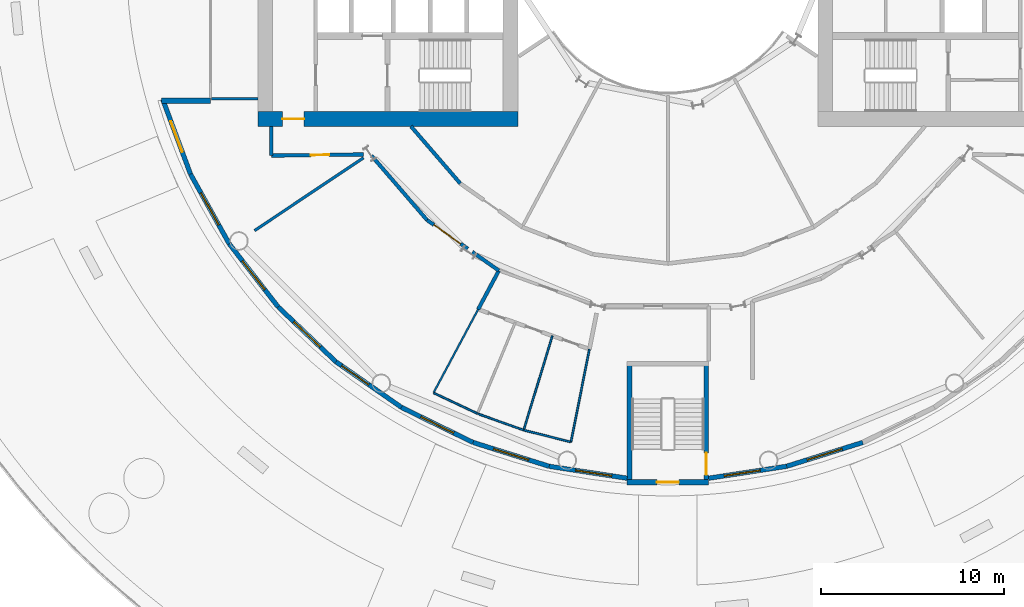
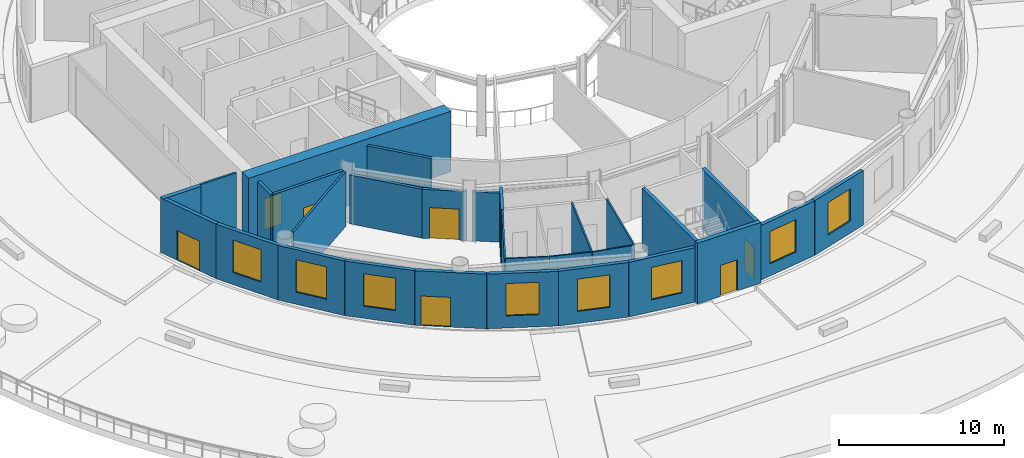
# One storey, part 10 of 19: 30 walls, 8 windows, 7 doors, 15 openings.
"""IFC4 building model written with IfcOpenShell, lengths in metres."""

from ifc_helpers import new_model, si_unit, direction, frame, frame_2d, origin, place, context, subcontext, project, spatial, rectangle, extrude, material, layer, layer_set, type_object, element, fill, save


model = new_model("IFC4")

# Units and contexts
model_context = context("Model", 3, precision=1e-05, world=origin(), true_north=direction((0.0, 1.0)))
body_context = subcontext(model_context, "Body", "Model", "MODEL_VIEW")
ifc_project = project(units=[si_unit("LENGTHUNIT", "METRE"), si_unit("AREAUNIT", "SQUARE_METRE"), si_unit("VOLUMEUNIT", "CUBIC_METRE"), si_unit("PLANEANGLEUNIT", "RADIAN"), si_unit("MASSUNIT", "GRAM", prefix="KILO")], contexts=[model_context])

# Site, building, storey
site_placement = place(None, origin())
site = spatial("IfcSite", under=ifc_project, at=site_placement, CompositionType="ELEMENT")
building_placement = place(site_placement, origin())
building = spatial("IfcBuilding", under=site, at=building_placement, Name="Maasbend Ring Residences", CompositionType="ELEMENT")
storey_placement = place(building_placement, frame((0.0, 0.0, 9.60009765625)))
storey = spatial("IfcBuildingStorey", under=building, at=storey_placement, Name="L02", CompositionType="ELEMENT", Elevation=9.60009765625)

# Wall, opening, door
ifc_material_1 = material(Name="Concrete C70/85", Category="concrete")
ifc_layer_1 = layer(ifc_material_1, 0.25)
ifc_layer_set_1 = layer_set([ifc_layer_1], Name="Concrete C70/85")
wall_type_1 = type_object("IfcWallType", Name="CORE WALL 250 C70/85", PredefinedType="SHEAR", material=ifc_layer_set_1)
wall_1_placement = place(storey_placement, frame((2.10009765625, -28.699951171875, 0.0), z_axis=(0.0, 0.0, 1.0), x_axis=(0.0, 1.0, 0.0)))
wall_1 = element("IfcWall", 1, at=wall_1_placement, inside=storey, type_object=wall_type_1, Name="L02 ST-P3 enclosure wall WS+", PredefinedType="SHEAR", context=body_context, shape_type="SweptSolid", body=[
    extrude(rectangle(XDim=6.449951171875, YDim=0.25, at=frame_2d((3.22509765625, 0.0))), origin(), (0.0, 0.0, 1.0), 4.5),
])
opening_1_placement = place(wall_1_placement, frame((0.25, 0.0, 0.0)))
opening_1 = element("IfcOpeningElement", 2, at=opening_1_placement, cuts=wall_1, Name="Opening D-P302S", PredefinedType="OPENING", context=body_context, shape_type="SweptSolid", body=[
    extrude(rectangle(XDim=1.199951171875, YDim=2.300048828125, at=frame_2d((0.60009765625, 1.14990234375))), frame((0.0, 0.135009765625, 0.0), z_axis=(0.0, -1.0, 0.0), x_axis=(1.0, 0.0, 0.0)), (0.0, 0.0, 1.0), 0.27001953125),
])
ifc_material_2 = material(Name="Steel, powder coated", Category="steel")
door_type_1 = type_object("IfcDoorType", Name="STAIR DOOR 1200 X 2300 FD60", OperationType="NOTDEFINED", PredefinedType="DOOR", material=ifc_material_2)
door_1_placement = place(opening_1_placement, origin())
door_1 = element("IfcDoor", 3, at=door_1_placement, inside=storey, type_object=door_type_1, Name="Stair door ST-P3 L02", OperationType="SINGLE_SWING_RIGHT", OverallHeight=2.300048828125, OverallWidth=1.199951171875, PredefinedType="DOOR", context=body_context, shape_type="SweptSolid", body=[
    extrude(rectangle(XDim=1.199951171875, YDim=2.300048828125, at=frame_2d((0.60009765625, 1.14990234375))), frame((0.0, 0.02490234375, 0.0), z_axis=(0.0, -1.0, 0.0), x_axis=(1.0, 0.0, 0.0)), (0.0, 0.0, 1.0), 0.050048828125),
])
fill(opening_1, door_1)

# Wall
wall_2_placement = place(storey_placement, frame((-2.10009765625, -22.25, 0.0), z_axis=(0.0, 0.0, 1.0), x_axis=(0.0, -1.0, 0.0)))
element("IfcWall", 4, at=wall_2_placement, inside=storey, type_object=wall_type_1, Name="L02 ST-P3 enclosure wall WS-", PredefinedType="SHEAR", context=body_context, shape_type="SweptSolid", body=[
    extrude(rectangle(XDim=6.449951171875, YDim=0.25, at=frame_2d((3.22509765625, 0.0))), origin(), (0.0, 0.0, 1.0), 4.5),
])

# Wall, opening, door
ifc_material_3 = material(Name="Concrete C70/85", Category="concrete")
ifc_layer_2 = layer(ifc_material_3, 0.300048828125)
ifc_layer_set_2 = layer_set([ifc_layer_2], Name="Concrete C70/85")
wall_type_2 = type_object("IfcWallType", Name="CORE WALL 300 C70/85", PredefinedType="SHEAR", material=ifc_layer_set_2)
wall_3_placement = place(storey_placement, frame((2.22509765625, -28.85009765625, 0.0), z_axis=(0.0, 0.0, 1.0), x_axis=(-1.0, 0.0, 0.0)))
wall_3 = element("IfcWall", 5, at=wall_3_placement, inside=storey, type_object=wall_type_2, Name="L02 ST-P3 enclosure wall WOUT", PredefinedType="SHEAR", context=body_context, shape_type="SweptSolid", body=[
    extrude(rectangle(XDim=4.4501953125, YDim=0.300048828125, at=frame_2d((2.22509765625, 0.0))), origin(), (0.0, 0.0, 1.0), 4.5),
])
opening_2_placement = place(wall_3_placement, frame((1.625, 0.0, 0.0)))
opening_2 = element("IfcOpeningElement", 6, at=opening_2_placement, cuts=wall_3, Name="Opening D-P302O", PredefinedType="OPENING", context=body_context, shape_type="SweptSolid", body=[
    extrude(rectangle(XDim=1.199951171875, YDim=2.300048828125, at=frame_2d((0.60009765625, 1.14990234375))), frame((0.0, 0.16015625, 0.0), z_axis=(0.0, -1.0, 0.0), x_axis=(1.0, 0.0, 0.0)), (0.0, 0.0, 1.0), 0.320068359375),
])
door_2_placement = place(opening_2_placement, origin())
door_2 = element("IfcDoor", 7, at=door_2_placement, inside=storey, type_object=door_type_1, Name="Stair door ST-P3 L02", OperationType="SINGLE_SWING_LEFT", OverallHeight=2.300048828125, OverallWidth=1.199951171875, PredefinedType="DOOR", context=body_context, shape_type="SweptSolid", body=[
    extrude(rectangle(XDim=1.199951171875, YDim=2.300048828125, at=frame_2d((0.60009765625, 1.14990234375))), frame((0.0, 0.02490234375, 0.0), z_axis=(0.0, -1.0, 0.0), x_axis=(1.0, 0.0, 0.0)), (0.0, 0.0, 1.0), 0.050048828125),
])
fill(opening_2, door_2)

ifc_material_4 = material(Name="Concrete C70/85", Category="concrete")
ifc_layer_3 = layer(ifc_material_4, 0.800048828125)
ifc_layer_set_3 = layer_set([ifc_layer_3], Name="Concrete C70/85")
wall_type_3 = type_object("IfcWallType", Name="CORE WALL 800 C70/85", PredefinedType="SHEAR", material=ifc_layer_set_3)
wall_4_placement = place(storey_placement, frame((-22.39990234375, -9.0, 0.0), z_axis=(0.0, 0.0, 1.0), x_axis=(1.0, 0.0, 0.0)))
wall_4 = element("IfcWall", 8, at=wall_4_placement, inside=storey, type_object=wall_type_3, Name="L02 core W wall PN", PredefinedType="SHEAR", context=body_context, shape_type="SweptSolid", body=[
    extrude(rectangle(XDim=14.199951171875, YDim=0.800048828125, at=frame_2d((7.10009765625, 0.0))), origin(), (0.0, 0.0, 1.0), 4.5),
])
opening_3_placement = place(wall_4_placement, frame((1.324951171875, 0.0, 0.0)))
opening_3 = element("IfcOpeningElement", 9, at=opening_3_placement, cuts=wall_4, Name="Opening D-W0214", PredefinedType="OPENING", context=body_context, shape_type="SweptSolid", body=[
    extrude(rectangle(XDim=1.199951171875, YDim=2.300048828125, at=frame_2d((0.60009765625, 1.14990234375))), frame((0.0, 0.41015625, 0.0), z_axis=(0.0, -1.0, 0.0), x_axis=(1.0, 0.0, 0.0)), (0.0, 0.0, 1.0), 0.820068359375),
])
ifc_material_5 = material(Name="Steel, powder coated", Category="steel")
door_type_2 = type_object("IfcDoorType", Name="CORRIDOR DOOR 1200 X 2300 FD30S", OperationType="NOTDEFINED", PredefinedType="DOOR", material=ifc_material_5)
door_3_placement = place(opening_3_placement, origin())
door_3 = element("IfcDoor", 10, at=door_3_placement, inside=storey, type_object=door_type_2, Name="Corridor door L02", OperationType="SINGLE_SWING_RIGHT", OverallHeight=2.300048828125, OverallWidth=1.199951171875, PredefinedType="DOOR", context=body_context, shape_type="SweptSolid", body=[
    extrude(rectangle(XDim=1.199951171875, YDim=2.300048828125, at=frame_2d((0.60009765625, 1.14990234375))), frame((0.0, 0.02490234375, 0.0), z_axis=(0.0, -1.0, 0.0), x_axis=(1.0, 0.0, 0.0)), (0.0, 0.0, 1.0), 0.050048828125),
])
fill(opening_3, door_3)

# Wall
ifc_material_6 = material(Name="Concrete C30/37", Category="concrete")
ifc_layer_4 = layer(ifc_material_6, 0.199951171875)
ifc_layer_set_4 = layer_set([ifc_layer_4], Name="Concrete C30/37")
wall_type_4 = type_object("IfcWallType", Name="CORRIDOR WALL 200 CONCRETE", PredefinedType="PARTITIONING", material=ifc_layer_set_4)
wall_5_placement = place(storey_placement, frame((-16.197021484375, -11.0048828125, 0.0), z_axis=(0.0, 0.0, 1.0), x_axis=(0.653077876854, -0.757290754443, 0.0)))
element("IfcWall", 11, at=wall_5_placement, inside=storey, type_object=wall_type_4, Name="U-L02-w004", PredefinedType="PARTITIONING", context=body_context, shape_type="SweptSolid", body=[
    extrude(rectangle(XDim=4.6455078125, YDim=0.199951171875, at=frame_2d((2.32275390625, 0.0))), origin(), (0.0, 0.0, 1.0), 3.6298828125),
])

# Wall, opening, door
wall_6_placement = place(storey_placement, frame((-13.1630859375, -14.52294921875, 0.0), z_axis=(0.0, 0.0, 1.0), x_axis=(0.817595540973, -0.575792958781, 0.0)))
wall_6 = element("IfcWall", 12, at=wall_6_placement, inside=storey, type_object=wall_type_4, Name="U-L02-w005", PredefinedType="PARTITIONING", context=body_context, shape_type="SweptSolid", body=[
    extrude(rectangle(XDim=2.72509765625, YDim=0.199951171875, at=frame_2d((1.362548828125, 0.0))), origin(), (0.0, 0.0, 1.0), 3.6298828125),
])
opening_4_placement = place(wall_6_placement, frame((0.449951171875, 0.0, 0.0)))
opening_4 = element("IfcOpeningElement", 13, at=opening_4_placement, cuts=wall_6, Name="Opening D-0216", PredefinedType="OPENING", context=body_context, shape_type="SweptSolid", body=[
    extrude(rectangle(XDim=1.800048828125, YDim=2.300048828125, at=frame_2d((0.89990234375, 1.14990234375))), frame((0.0, 0.10986328125, 0.0), z_axis=(0.0, -1.0, 0.0), x_axis=(1.0, 0.0, 0.0)), (0.0, 0.0, 1.0), 0.219970703125),
])
ifc_material_7 = material(Name="Timber, painted", Category="wood")
door_type_3 = type_object("IfcDoorType", Name="DOUBLE DOOR 1800 X 2300", OperationType="NOTDEFINED", PredefinedType="DOOR", material=ifc_material_7)
door_4_placement = place(opening_4_placement, origin())
door_4 = element("IfcDoor", 14, at=door_4_placement, inside=storey, type_object=door_type_3, Name="D-0216", OperationType="DOUBLE_DOOR_SINGLE_SWING", OverallHeight=2.300048828125, OverallWidth=1.800048828125, PredefinedType="DOOR", context=body_context, shape_type="SweptSolid", body=[
    extrude(rectangle(XDim=1.800048828125, YDim=2.300048828125, at=frame_2d((0.89990234375, 1.14990234375))), frame((0.0, 0.02490234375, 0.0), z_axis=(0.0, -1.0, 0.0), x_axis=(1.0, 0.0, 0.0)), (0.0, 0.0, 1.0), 0.050048828125),
])
fill(opening_4, door_4)

# Walls
wall_7_placement = place(storey_placement, frame((-10.68701171875, -16.26708984375, 0.0), z_axis=(0.0, 0.0, 1.0), x_axis=(0.817849682833, -0.575431921508, 0.0)))
element("IfcWall", 15, at=wall_7_placement, inside=storey, type_object=wall_type_4, Name="U-L02-w006", PredefinedType="PARTITIONING", context=body_context, shape_type="SweptSolid", body=[
    extrude(rectangle(XDim=1.7705078125, YDim=0.199951171875, at=frame_2d((0.88525390625, 0.0))), origin(), (0.0, 0.0, 1.0), 3.6298828125),
])
wall_8_placement = place(storey_placement, frame((-14.04296875, -9.39990234375, 0.0), z_axis=(0.0, 0.0, 1.0), x_axis=(0.653274518104, -0.757121129012, 0.0)))
element("IfcWall", 16, at=wall_8_placement, inside=storey, type_object=wall_type_4, Name="U-L02-w013", PredefinedType="PARTITIONING", context=body_context, shape_type="SweptSolid", body=[
    extrude(rectangle(XDim=4.12353515625, YDim=0.199951171875, at=frame_2d((2.061767578125, 0.0))), origin(), (0.0, 0.0, 1.0), 4.0498046875),
])

# Wall, opening, door
wall_9_placement = place(storey_placement, frame((-21.675048828125, -11.0, 0.0), z_axis=(0.0, 0.0, 1.0), x_axis=(0.999924074118, 0.012322580895, 0.0)))
wall_9 = element("IfcWall", 17, at=wall_9_placement, inside=storey, type_object=wall_type_4, Name="U-L02-w021", PredefinedType="PARTITIONING", context=body_context, shape_type="SweptSolid", body=[
    extrude(rectangle(XDim=5.032470703125, YDim=0.199951171875, at=frame_2d((2.51611328125, 0.0))), origin(), (0.0, 0.0, 1.0), 4.0498046875),
])
opening_5_placement = place(wall_9_placement, frame((2.155029296875, 0.0, 0.0)))
opening_5 = element("IfcOpeningElement", 18, at=opening_5_placement, cuts=wall_9, Name="Opening D-0224", PredefinedType="OPENING", context=body_context, shape_type="SweptSolid", body=[
    extrude(rectangle(XDim=1.0, YDim=2.300048828125, at=frame_2d((0.5, 1.14990234375))), frame((0.0, 0.10986328125, 0.0), z_axis=(0.0, -1.0, 0.0), x_axis=(1.0, 0.0, 0.0)), (0.0, 0.0, 1.0), 0.219970703125),
])
ifc_material_8 = material(Name="Timber, painted", Category="wood")
door_type_4 = type_object("IfcDoorType", Name="ROOM DOOR 1000 X 2300", OperationType="NOTDEFINED", PredefinedType="DOOR", material=ifc_material_8)
door_5_placement = place(opening_5_placement, origin())
door_5 = element("IfcDoor", 19, at=door_5_placement, inside=storey, type_object=door_type_4, Name="D-0224", OperationType="SINGLE_SWING_RIGHT", OverallHeight=2.300048828125, OverallWidth=1.0, PredefinedType="DOOR", context=body_context, shape_type="SweptSolid", body=[
    extrude(rectangle(XDim=1.0, YDim=2.300048828125, at=frame_2d((0.5, 1.14990234375))), frame((0.0, 0.02490234375, 0.0), z_axis=(0.0, -1.0, 0.0), x_axis=(1.0, 0.0, 0.0)), (0.0, 0.0, 1.0), 0.050048828125),
])
fill(opening_5, door_5)

# Walls
wall_10_placement = place(storey_placement, frame((-10.3701171875, -19.402099609375, 0.0), z_axis=(0.0, 0.0, 1.0), x_axis=(0.471385457832, 0.881927293004, 0.0)))
element("IfcWall", 20, at=wall_10_placement, inside=storey, type_object=wall_type_4, Name="U-L02-w031", PredefinedType="PARTITIONING", context=body_context, shape_type="SweptSolid", body=[
    extrude(rectangle(XDim=2.3994140625, YDim=0.199951171875, at=frame_2d((1.19970703125, 0.0))), origin(), (0.0, 0.0, 1.0), 4.0498046875),
])
wall_11_placement = place(storey_placement, frame((-21.675048828125, -11.0, 0.0), z_axis=(0.0, 0.0, 1.0), x_axis=(0.0, 1.0, 0.0)))
element("IfcWall", 21, at=wall_11_placement, inside=storey, type_object=wall_type_4, Name="U-L02-w071", PredefinedType="PARTITIONING", context=body_context, shape_type="SweptSolid", body=[
    extrude(rectangle(XDim=1.60009765625, YDim=0.199951171875, at=frame_2d((0.800048828125, 0.0))), origin(), (0.0, 0.0, 1.0), 4.0498046875),
])

# Wall, opening, door
ifc_material_9 = material(Name="Aluminium clad insulated panel", Category="aluminium")
ifc_layer_5 = layer(ifc_material_9, 0.25)
ifc_layer_set_5 = layer_set([ifc_layer_5], Name="EW-GL")
wall_type_5 = type_object("IfcWallType", Name="EW-GL", PredefinedType="SOLIDWALL", material=ifc_layer_set_5)
wall_12_placement = place(storey_placement, frame((-27.610107421875, -7.924072265625, 0.0), z_axis=(0.0, 0.0, 1.0), x_axis=(0.348003729264, -0.937493148998, 0.0)))
wall_12 = element("IfcWall", 22, at=wall_12_placement, inside=storey, type_object=wall_type_5, Name="Community floor wall 18", PredefinedType="SOLIDWALL", context=body_context, shape_type="SweptSolid", body=[
    extrude(rectangle(XDim=4.359375, YDim=0.25, at=frame_2d((2.1796875, 0.0))), origin(), (0.0, 0.0, 1.0), 4.0498046875),
])
opening_6_placement = place(wall_12_placement, frame((1.27978515625, 0.0, 0.0)))
opening_6 = element("IfcOpeningElement", 23, at=opening_6_placement, cuts=wall_12, Name="Opening D-DK", PredefinedType="OPENING", context=body_context, shape_type="SweptSolid", body=[
    extrude(rectangle(XDim=1.800048828125, YDim=2.199951171875, at=frame_2d((0.89990234375, 1.10009765625))), frame((0.0, 0.135009765625, 0.0), z_axis=(0.0, -1.0, 0.0), x_axis=(1.0, 0.0, 0.0)), (0.0, 0.0, 1.0), 0.27001953125),
])
ifc_material_10 = material(Name="Aluminium and clear glass", Category="aluminium")
door_type_5 = type_object("IfcDoorType", Name="D-DK", OperationType="DOUBLE_DOOR_SINGLE_SWING", PredefinedType="DOOR", material=ifc_material_10)
door_6_placement = place(opening_6_placement, origin())
door_6 = element("IfcDoor", 24, at=door_6_placement, inside=storey, type_object=door_type_5, Name="Deck door 18", OperationType="SINGLE_SWING_LEFT", OverallHeight=2.199951171875, OverallWidth=1.800048828125, PredefinedType="DOOR", context=body_context, shape_type="SweptSolid", body=[
    extrude(rectangle(XDim=1.800048828125, YDim=2.199951171875, at=frame_2d((0.89990234375, 1.10009765625))), frame((0.0, 0.02490234375, 0.0), z_axis=(0.0, -1.0, 0.0), x_axis=(1.0, 0.0, 0.0)), (0.0, 0.0, 1.0), 0.050048828125),
])
fill(opening_6, door_6)

# Wall, opening, window
wall_13_placement = place(storey_placement, frame((-26.093017578125, -12.010986328125, 0.0), z_axis=(0.0, 0.0, 1.0), x_axis=(0.485761785263, -0.8740912355, 0.0)))
wall_13 = element("IfcWall", 25, at=wall_13_placement, inside=storey, type_object=wall_type_5, Name="Community floor wall 19", PredefinedType="SOLIDWALL", context=body_context, shape_type="SweptSolid", body=[
    extrude(rectangle(XDim=4.360107421875, YDim=0.25, at=frame_2d((2.18017578125, 0.0))), origin(), (0.0, 0.0, 1.0), 4.0498046875),
])
opening_7_placement = place(wall_13_placement, frame((1.179931640625, 0.0, 0.89990234375)))
opening_7 = element("IfcOpeningElement", 26, at=opening_7_placement, cuts=wall_13, Name="Opening W-BD", PredefinedType="OPENING", context=body_context, shape_type="SweptSolid", body=[
    extrude(rectangle(XDim=2.0, YDim=2.39990234375, at=frame_2d((1.0, 1.199951171875))), frame((0.0, 0.135009765625, 0.0), z_axis=(0.0, -1.0, 0.0), x_axis=(1.0, 0.0, 0.0)), (0.0, 0.0, 1.0), 0.27001953125),
])
ifc_material_11 = material(Name="Aluminium and clear glass", Category="aluminium")
window_type = type_object("IfcWindowType", Name="W-BD", PartitioningType="DOUBLE_PANEL_VERTICAL", PredefinedType="WINDOW", material=ifc_material_11)
window_1_placement = place(opening_7_placement, origin())
window_1 = element("IfcWindow", 27, at=window_1_placement, inside=storey, type_object=window_type, Name="Community floor window 19", OverallHeight=2.39990234375, OverallWidth=2.0, PartitioningType="SINGLE_PANEL", PredefinedType="WINDOW", context=body_context, shape_type="SweptSolid", body=[
    extrude(rectangle(XDim=2.0, YDim=2.39990234375, at=frame_2d((1.0, 1.199951171875))), frame((0.0, 0.030029296875, 0.0), z_axis=(0.0, -1.0, 0.0), x_axis=(1.0, 0.0, 0.0)), (0.0, 0.0, 1.0), 0.06005859375),
])
fill(opening_7, window_1)

wall_14_placement = place(storey_placement, frame((-23.97509765625, -15.822021484375, 0.0), z_axis=(0.0, 0.0, 1.0), x_axis=(0.612637256412, -0.790364214812, 0.0)))
wall_14 = element("IfcWall", 28, at=wall_14_placement, inside=storey, type_object=wall_type_5, Name="Community floor wall 20", PredefinedType="SOLIDWALL", context=body_context, shape_type="SweptSolid", body=[
    extrude(rectangle(XDim=4.360107421875, YDim=0.25, at=frame_2d((2.18017578125, 0.0))), origin(), (0.0, 0.0, 1.0), 4.0498046875),
])
opening_8_placement = place(wall_14_placement, frame((1.179931640625, 0.0, 0.89990234375)))
opening_8 = element("IfcOpeningElement", 29, at=opening_8_placement, cuts=wall_14, Name="Opening W-BD", PredefinedType="OPENING", context=body_context, shape_type="SweptSolid", body=[
    extrude(rectangle(XDim=2.0, YDim=2.39990234375, at=frame_2d((1.0, 1.199951171875))), frame((0.0, 0.135009765625, 0.0), z_axis=(0.0, -1.0, 0.0), x_axis=(1.0, 0.0, 0.0)), (0.0, 0.0, 1.0), 0.27001953125),
])
window_2_placement = place(opening_8_placement, origin())
window_2 = element("IfcWindow", 30, at=window_2_placement, inside=storey, type_object=window_type, Name="Community floor window 20", OverallHeight=2.39990234375, OverallWidth=2.0, PartitioningType="SINGLE_PANEL", PredefinedType="WINDOW", context=body_context, shape_type="SweptSolid", body=[
    extrude(rectangle(XDim=2.0, YDim=2.39990234375, at=frame_2d((1.0, 1.199951171875))), frame((0.0, 0.030029296875, 0.0), z_axis=(0.0, -1.0, 0.0), x_axis=(1.0, 0.0, 0.0)), (0.0, 0.0, 1.0), 0.06005859375),
])
fill(opening_8, window_2)

wall_15_placement = place(storey_placement, frame((-21.303955078125, -19.26806640625, 0.0), z_axis=(0.0, 0.0, 1.0), x_axis=(0.725101501119, -0.68864200647, 0.0)))
wall_15 = element("IfcWall", 31, at=wall_15_placement, inside=storey, type_object=wall_type_5, Name="Community floor wall 21", PredefinedType="SOLIDWALL", context=body_context, shape_type="SweptSolid", body=[
    extrude(rectangle(XDim=4.359130859375, YDim=0.25, at=frame_2d((2.1796875, 0.0))), origin(), (0.0, 0.0, 1.0), 4.0498046875),
])
opening_9_placement = place(wall_15_placement, frame((1.179931640625, 0.0, 0.89990234375)))
opening_9 = element("IfcOpeningElement", 32, at=opening_9_placement, cuts=wall_15, Name="Opening W-BD", PredefinedType="OPENING", context=body_context, shape_type="SweptSolid", body=[
    extrude(rectangle(XDim=2.0, YDim=2.39990234375, at=frame_2d((1.0, 1.199951171875))), frame((0.0, 0.135009765625, 0.0), z_axis=(0.0, -1.0, 0.0), x_axis=(1.0, 0.0, 0.0)), (0.0, 0.0, 1.0), 0.27001953125),
])
window_3_placement = place(opening_9_placement, origin())
window_3 = element("IfcWindow", 33, at=window_3_placement, inside=storey, type_object=window_type, Name="Community floor window 21", OverallHeight=2.39990234375, OverallWidth=2.0, PartitioningType="SINGLE_PANEL", PredefinedType="WINDOW", context=body_context, shape_type="SweptSolid", body=[
    extrude(rectangle(XDim=2.0, YDim=2.39990234375, at=frame_2d((1.0, 1.199951171875))), frame((0.0, 0.030029296875, 0.0), z_axis=(0.0, -1.0, 0.0), x_axis=(1.0, 0.0, 0.0)), (0.0, 0.0, 1.0), 0.06005859375),
])
fill(opening_9, window_3)

# Wall, opening, door
wall_16_placement = place(storey_placement, frame((-18.14306640625, -22.27001953125, 0.0), z_axis=(0.0, 0.0, 1.0), x_axis=(0.820990800869, -0.57094141984, 0.0)))
wall_16 = element("IfcWall", 34, at=wall_16_placement, inside=storey, type_object=wall_type_5, Name="Community floor wall 22", PredefinedType="SOLIDWALL", context=body_context, shape_type="SweptSolid", body=[
    extrude(rectangle(XDim=4.359375, YDim=0.25, at=frame_2d((2.1796875, 0.0))), origin(), (0.0, 0.0, 1.0), 4.0498046875),
])
opening_10_placement = place(wall_16_placement, frame((0.376953125, 0.0, 0.0)))
opening_10 = element("IfcOpeningElement", 35, at=opening_10_placement, cuts=wall_16, Name="Opening D-DK", PredefinedType="OPENING", context=body_context, shape_type="SweptSolid", body=[
    extrude(rectangle(XDim=1.800048828125, YDim=2.199951171875, at=frame_2d((0.89990234375, 1.10009765625))), frame((0.0, 0.135009765625, 0.0), z_axis=(0.0, -1.0, 0.0), x_axis=(1.0, 0.0, 0.0)), (0.0, 0.0, 1.0), 0.27001953125),
])
door_7_placement = place(opening_10_placement, origin())
door_7 = element("IfcDoor", 36, at=door_7_placement, inside=storey, type_object=door_type_5, Name="Deck door 22", OperationType="SINGLE_SWING_LEFT", OverallHeight=2.199951171875, OverallWidth=1.800048828125, PredefinedType="DOOR", context=body_context, shape_type="SweptSolid", body=[
    extrude(rectangle(XDim=1.800048828125, YDim=2.199951171875, at=frame_2d((0.89990234375, 1.10009765625))), frame((0.0, 0.02490234375, 0.0), z_axis=(0.0, -1.0, 0.0), x_axis=(1.0, 0.0, 0.0)), (0.0, 0.0, 1.0), 0.050048828125),
])
fill(opening_10, door_7)

# Wall, opening, window
wall_17_placement = place(storey_placement, frame((-14.56396484375, -24.759033203125, 0.0), z_axis=(0.0, 0.0, 1.0), x_axis=(0.897938079481, -0.440121807478, 0.0)))
wall_17 = element("IfcWall", 37, at=wall_17_placement, inside=storey, type_object=wall_type_5, Name="Community floor wall 23", PredefinedType="SOLIDWALL", context=body_context, shape_type="SweptSolid", body=[
    extrude(rectangle(XDim=4.360107421875, YDim=0.25, at=frame_2d((2.18017578125, 0.0))), origin(), (0.0, 0.0, 1.0), 4.0498046875),
])
opening_11_placement = place(wall_17_placement, frame((1.179931640625, 0.0, 0.89990234375)))
opening_11 = element("IfcOpeningElement", 38, at=opening_11_placement, cuts=wall_17, Name="Opening W-BD", PredefinedType="OPENING", context=body_context, shape_type="SweptSolid", body=[
    extrude(rectangle(XDim=2.0, YDim=2.39990234375, at=frame_2d((1.0, 1.199951171875))), frame((0.0, 0.135009765625, 0.0), z_axis=(0.0, -1.0, 0.0), x_axis=(1.0, 0.0, 0.0)), (0.0, 0.0, 1.0), 0.27001953125),
])
window_4_placement = place(opening_11_placement, origin())
window_4 = element("IfcWindow", 39, at=window_4_placement, inside=storey, type_object=window_type, Name="Community floor window 23", OverallHeight=2.39990234375, OverallWidth=2.0, PartitioningType="SINGLE_PANEL", PredefinedType="WINDOW", context=body_context, shape_type="SweptSolid", body=[
    extrude(rectangle(XDim=2.0, YDim=2.39990234375, at=frame_2d((1.0, 1.199951171875))), frame((0.0, 0.030029296875, 0.0), z_axis=(0.0, -1.0, 0.0), x_axis=(1.0, 0.0, 0.0)), (0.0, 0.0, 1.0), 0.06005859375),
])
fill(opening_11, window_4)

wall_18_placement = place(storey_placement, frame((-10.64892578125, -26.677978515625, 0.0), z_axis=(0.0, 0.0, 1.0), x_axis=(0.954219534331, -0.299107138498, 0.0)))
wall_18 = element("IfcWall", 40, at=wall_18_placement, inside=storey, type_object=wall_type_5, Name="Community floor wall 24", PredefinedType="SOLIDWALL", context=body_context, shape_type="SweptSolid", body=[
    extrude(rectangle(XDim=4.359375, YDim=0.25, at=frame_2d((2.1796875, 0.0))), origin(), (0.0, 0.0, 1.0), 4.0498046875),
])
opening_12_placement = place(wall_18_placement, frame((1.179931640625, 0.0, 0.89990234375)))
opening_12 = element("IfcOpeningElement", 41, at=opening_12_placement, cuts=wall_18, Name="Opening W-BD", PredefinedType="OPENING", context=body_context, shape_type="SweptSolid", body=[
    extrude(rectangle(XDim=2.0, YDim=2.39990234375, at=frame_2d((1.0, 1.199951171875))), frame((0.0, 0.135009765625, 0.0), z_axis=(0.0, -1.0, 0.0), x_axis=(1.0, 0.0, 0.0)), (0.0, 0.0, 1.0), 0.27001953125),
])
window_5_placement = place(opening_12_placement, origin())
window_5 = element("IfcWindow", 42, at=window_5_placement, inside=storey, type_object=window_type, Name="Community floor window 24", OverallHeight=2.39990234375, OverallWidth=2.0, PartitioningType="SINGLE_PANEL", PredefinedType="WINDOW", context=body_context, shape_type="SweptSolid", body=[
    extrude(rectangle(XDim=2.0, YDim=2.39990234375, at=frame_2d((1.0, 1.199951171875))), frame((0.0, 0.030029296875, 0.0), z_axis=(0.0, -1.0, 0.0), x_axis=(1.0, 0.0, 0.0)), (0.0, 0.0, 1.0), 0.06005859375),
])
fill(opening_12, window_5)

wall_19_placement = place(storey_placement, frame((-6.489013671875, -27.98193359375, 0.0), z_axis=(0.0, 0.0, 1.0), x_axis=(0.988472895049, -0.151397938406, 0.0)))
wall_19 = element("IfcWall", 43, at=wall_19_placement, inside=storey, type_object=wall_type_5, Name="Community floor wall 25a", PredefinedType="SOLIDWALL", context=body_context, shape_type="SweptSolid", body=[
    extrude(rectangle(XDim=4.313720703125, YDim=0.25, at=frame_2d((2.15673828125, 0.0))), origin(), (0.0, 0.0, 1.0), 4.0498046875),
])
opening_13_placement = place(wall_19_placement, frame((1.455322265625, 0.0, 0.89990234375)))
opening_13 = element("IfcOpeningElement", 44, at=opening_13_placement, cuts=wall_19, Name="Opening W-BD", PredefinedType="OPENING", context=body_context, shape_type="SweptSolid", body=[
    extrude(rectangle(XDim=2.0, YDim=2.39990234375, at=frame_2d((1.0, 1.199951171875))), frame((0.0, 0.135009765625, 0.0), z_axis=(0.0, -1.0, 0.0), x_axis=(1.0, 0.0, 0.0)), (0.0, 0.0, 1.0), 0.27001953125),
])
window_6_placement = place(opening_13_placement, origin())
window_6 = element("IfcWindow", 45, at=window_6_placement, inside=storey, type_object=window_type, Name="Community floor window 25a", OverallHeight=2.39990234375, OverallWidth=2.0, PartitioningType="SINGLE_PANEL", PredefinedType="WINDOW", context=body_context, shape_type="SweptSolid", body=[
    extrude(rectangle(XDim=2.0, YDim=2.39990234375, at=frame_2d((1.0, 1.199951171875))), frame((0.0, 0.030029296875, 0.0), z_axis=(0.0, -1.0, 0.0), x_axis=(1.0, 0.0, 0.0)), (0.0, 0.0, 1.0), 0.06005859375),
])
fill(opening_13, window_6)

wall_20_placement = place(storey_placement, frame((2.22509765625, -28.635009765625, 0.0), z_axis=(0.0, 0.0, 1.0), x_axis=(0.988472895049, 0.151397938406, 0.0)))
wall_20 = element("IfcWall", 46, at=wall_20_placement, inside=storey, type_object=wall_type_5, Name="Community floor wall 27a", PredefinedType="SOLIDWALL", context=body_context, shape_type="SweptSolid", body=[
    extrude(rectangle(XDim=4.313720703125, YDim=0.25, at=frame_2d((2.15673828125, 0.0))), origin(), (0.0, 0.0, 1.0), 4.0498046875),
])
opening_14_placement = place(wall_20_placement, frame((0.858642578125, 0.0, 0.89990234375)))
opening_14 = element("IfcOpeningElement", 47, at=opening_14_placement, cuts=wall_20, Name="Opening W-BD", PredefinedType="OPENING", context=body_context, shape_type="SweptSolid", body=[
    extrude(rectangle(XDim=2.0, YDim=2.39990234375, at=frame_2d((1.0, 1.199951171875))), frame((0.0, 0.135009765625, 0.0), z_axis=(0.0, -1.0, 0.0), x_axis=(1.0, 0.0, 0.0)), (0.0, 0.0, 1.0), 0.27001953125),
])
window_7_placement = place(opening_14_placement, origin())
window_7 = element("IfcWindow", 48, at=window_7_placement, inside=storey, type_object=window_type, Name="Community floor window 27a", OverallHeight=2.39990234375, OverallWidth=2.0, PartitioningType="SINGLE_PANEL", PredefinedType="WINDOW", context=body_context, shape_type="SweptSolid", body=[
    extrude(rectangle(XDim=2.0, YDim=2.39990234375, at=frame_2d((1.0, 1.199951171875))), frame((0.0, 0.030029296875, 0.0), z_axis=(0.0, -1.0, 0.0), x_axis=(1.0, 0.0, 0.0)), (0.0, 0.0, 1.0), 0.06005859375),
])
fill(opening_14, window_7)

wall_21_placement = place(storey_placement, frame((6.489013671875, -27.98193359375, 0.0), z_axis=(0.0, 0.0, 1.0), x_axis=(0.954219534331, 0.299107138498, 0.0)))
wall_21 = element("IfcWall", 49, at=wall_21_placement, inside=storey, type_object=wall_type_5, Name="Community floor wall 28", PredefinedType="SOLIDWALL", context=body_context, shape_type="SweptSolid", body=[
    extrude(rectangle(XDim=4.359375, YDim=0.25, at=frame_2d((2.1796875, 0.0))), origin(), (0.0, 0.0, 1.0), 4.0498046875),
])
opening_15_placement = place(wall_21_placement, frame((1.179931640625, 0.0, 0.89990234375)))
opening_15 = element("IfcOpeningElement", 50, at=opening_15_placement, cuts=wall_21, Name="Opening W-BD", PredefinedType="OPENING", context=body_context, shape_type="SweptSolid", body=[
    extrude(rectangle(XDim=2.0, YDim=2.39990234375, at=frame_2d((1.0, 1.199951171875))), frame((0.0, 0.135009765625, 0.0), z_axis=(0.0, -1.0, 0.0), x_axis=(1.0, 0.0, 0.0)), (0.0, 0.0, 1.0), 0.27001953125),
])
window_8_placement = place(opening_15_placement, origin())
window_8 = element("IfcWindow", 51, at=window_8_placement, inside=storey, type_object=window_type, Name="Community floor window 28", OverallHeight=2.39990234375, OverallWidth=2.0, PartitioningType="SINGLE_PANEL", PredefinedType="WINDOW", context=body_context, shape_type="SweptSolid", body=[
    extrude(rectangle(XDim=2.0, YDim=2.39990234375, at=frame_2d((1.0, 1.199951171875))), frame((0.0, 0.030029296875, 0.0), z_axis=(0.0, -1.0, 0.0), x_axis=(1.0, 0.0, 0.0)), (0.0, 0.0, 1.0), 0.06005859375),
])
fill(opening_15, window_8)

# Walls
ifc_material_12 = material(Name="Aluminium clad insulated panel", Category="aluminium")
ifc_layer_6 = layer(ifc_material_12, 0.300048828125)
ifc_layer_set_6 = layer_set([ifc_layer_6], Name="EW-RET")
wall_type_6 = type_object("IfcWallType", Name="EW-RET", PredefinedType="SOLIDWALL", material=ifc_layer_set_6)
wall_22_placement = place(storey_placement, frame((-25.0, -8.0, 0.0), z_axis=(0.0, 0.0, 1.0), x_axis=(-1.0, 0.0, 0.0)))
element("IfcWall", 52, at=wall_22_placement, inside=storey, type_object=wall_type_6, Name="Notch return wall west south", PredefinedType="SOLIDWALL", context=body_context, shape_type="SweptSolid", body=[
    extrude(rectangle(XDim=2.6669921875, YDim=0.300048828125, at=frame_2d((1.33349609375, 0.0))), origin(), (0.0, 0.0, 1.0), 4.0498046875),
])
ifc_material_13 = material(Name="Gypsum board on steel studs", Category="steel")
ifc_layer_7 = layer(ifc_material_13, 0.10009765625)
ifc_layer_set_7 = layer_set([ifc_layer_7], Name="PARTITION 100 GYPSUM")
wall_type_7 = type_object("IfcWallType", Name="PARTITION 100 GYPSUM", PredefinedType="PARTITIONING", material=ifc_layer_set_7)
wall_23_placement = place(storey_placement, frame((-12.81005859375, -23.966064453125, 0.0), z_axis=(0.0, 0.0, 1.0), x_axis=(0.471464572183, 0.88188500224, 0.0)))
element("IfcWall", 53, at=wall_23_placement, inside=storey, type_object=wall_type_7, Name="U-L02-w029", PredefinedType="PARTITIONING", context=body_context, shape_type="SweptSolid", body=[
    extrude(rectangle(XDim=5.17529296875, YDim=0.10009765625, at=frame_2d((2.587646484375, 0.0))), origin(), (0.0, 0.0, 1.0), 4.0498046875),
])
wall_24_placement = place(storey_placement, frame((-7.8798828125, -26.007080078125, 0.0), z_axis=(0.0, 0.0, 1.0), x_axis=(0.289945753839, 0.957043081492, 0.0)))
element("IfcWall", 54, at=wall_24_placement, inside=storey, type_object=wall_type_7, Name="U-L02-w034", PredefinedType="PARTITIONING", context=body_context, shape_type="SweptSolid", body=[
    extrude(rectangle(XDim=5.386474609375, YDim=0.10009765625, at=frame_2d((2.693359375, 0.0))), origin(), (0.0, 0.0, 1.0), 4.0498046875),
])
wall_25_placement = place(storey_placement, frame((-5.297119140625, -26.654052734375, 0.0), z_axis=(0.0, 0.0, 1.0), x_axis=(0.194963902417, 0.980810418355, 0.0)))
element("IfcWall", 55, at=wall_25_placement, inside=storey, type_object=wall_type_7, Name="U-L02-w035", PredefinedType="PARTITIONING", context=body_context, shape_type="SweptSolid", body=[
    extrude(rectangle(XDim=5.175537109375, YDim=0.10009765625, at=frame_2d((2.587890625, 0.0))), origin(), (0.0, 0.0, 1.0), 4.0498046875),
])
wall_26_placement = place(storey_placement, frame((-10.425048828125, -25.093994140625, 0.0), z_axis=(0.0, 0.0, 1.0), x_axis=(-0.904075542006, 0.427372687882, 0.0)))
element("IfcWall", 56, at=wall_26_placement, inside=storey, type_object=wall_type_7, Name="U-L02-w077", PredefinedType="PARTITIONING", context=body_context, shape_type="SweptSolid", body=[
    extrude(rectangle(XDim=2.6181640625, YDim=0.10009765625, at=frame_2d((1.30908203125, 0.0))), origin(), (0.0, 0.0, 1.0), 4.0498046875),
])
wall_27_placement = place(storey_placement, frame((-7.89892578125, -26.0009765625, 0.0), z_axis=(0.0, 0.0, 1.0), x_axis=(-0.94150976765, 0.336985693198, 0.0)))
element("IfcWall", 57, at=wall_27_placement, inside=storey, type_object=wall_type_7, Name="U-L02-w078", PredefinedType="PARTITIONING", context=body_context, shape_type="SweptSolid", body=[
    extrude(rectangle(XDim=2.6435546875, YDim=0.10009765625, at=frame_2d((1.32177734375, 0.0))), origin(), (0.0, 0.0, 1.0), 4.0498046875),
])
wall_28_placement = place(storey_placement, frame((-5.321044921875, -26.64794921875, 0.0), z_axis=(0.0, 0.0, 1.0), x_axis=(-0.970054682641, 0.242886625171, 0.0)))
element("IfcWall", 58, at=wall_28_placement, inside=storey, type_object=wall_type_7, Name="U-L02-w079", PredefinedType="PARTITIONING", context=body_context, shape_type="SweptSolid", body=[
    extrude(rectangle(XDim=2.618408203125, YDim=0.10009765625, at=frame_2d((1.30908203125, 0.0))), origin(), (0.0, 0.0, 1.0), 4.0498046875),
])
ifc_material_14 = material(Name="Gypsum board on steel studs", Category="steel")
ifc_layer_8 = layer(ifc_material_14, 0.14990234375)
ifc_layer_set_8 = layer_set([ifc_layer_8], Name="PARTITION 150 EI 60")
wall_type_8 = type_object("IfcWallType", Name="PARTITION 150 EI 60", PredefinedType="PARTITIONING", material=ifc_layer_set_8)
wall_29_placement = place(storey_placement, frame((-22.39990234375, -7.89990234375, 0.0), z_axis=(0.0, 0.0, 1.0), x_axis=(-1.0, 0.0, 0.0)))
element("IfcWall", 59, at=wall_29_placement, inside=storey, type_object=wall_type_8, Name="L02 core W wall CITN", PredefinedType="PARTITIONING", context=body_context, shape_type="SweptSolid", body=[
    extrude(rectangle(XDim=2.5400390625, YDim=0.14990234375, at=frame_2d((1.27001953125, 0.0))), origin(), (0.0, 0.0, 1.0), 4.0498046875),
])
ifc_material_15 = material(Name="Gypsum board on steel studs", Category="steel")
ifc_layer_9 = layer(ifc_material_15, 0.14990234375)
ifc_layer_set_9 = layer_set([ifc_layer_9], Name="PARTITION 150 GYPSUM")
wall_type_9 = type_object("IfcWallType", Name="PARTITION 150 GYPSUM", PredefinedType="PARTITIONING", material=ifc_layer_set_9)
wall_30_placement = place(storey_placement, frame((-22.593017578125, -15.10107421875, 0.0), z_axis=(0.0, 0.0, 1.0), x_axis=(0.831415754305, 0.555650828752, 0.0)))
element("IfcWall", 60, at=wall_30_placement, inside=storey, type_object=wall_type_9, Name="U-L02-w028", PredefinedType="PARTITIONING", context=body_context, shape_type="SweptSolid", body=[
    extrude(rectangle(XDim=7.16845703125, YDim=0.14990234375, at=frame_2d((3.584228515625, 0.0))), origin(), (0.0, 0.0, 1.0), 4.0498046875),
])

save(model, "model.ifc")
